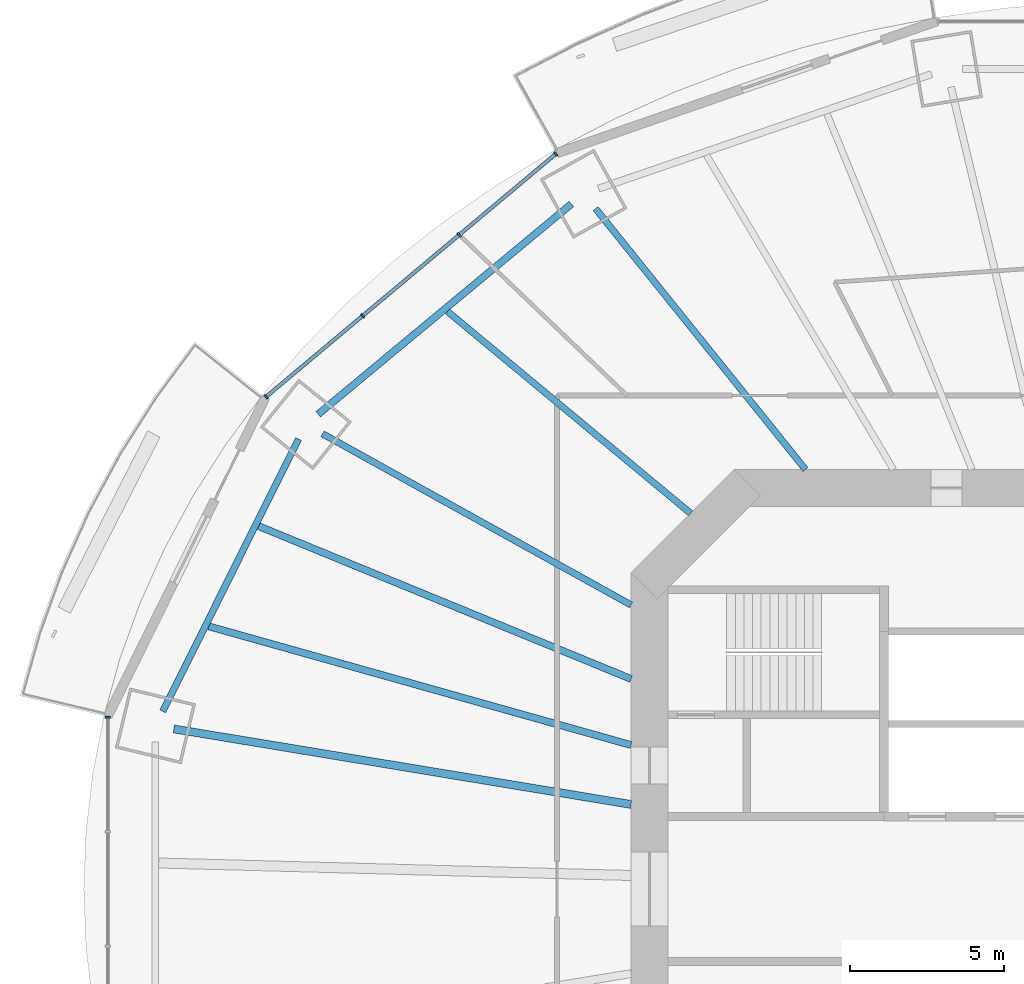
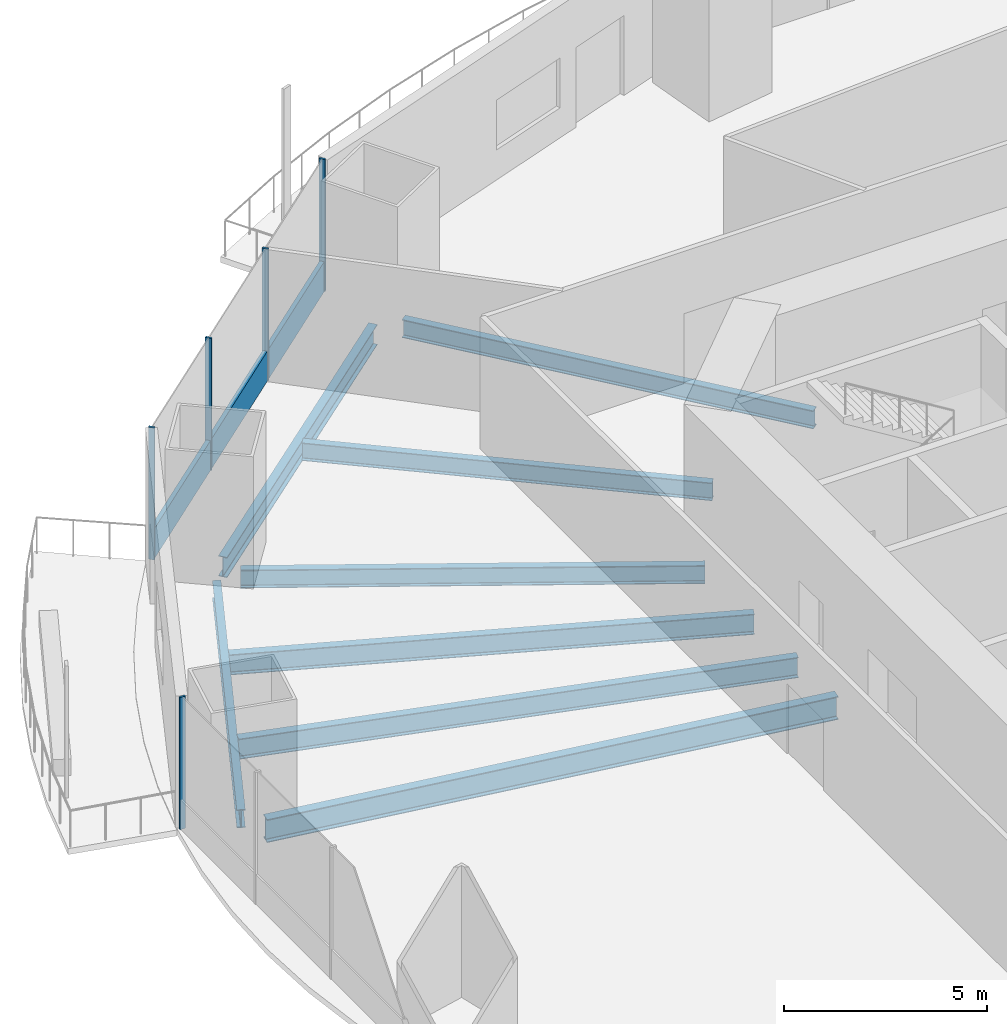
# One storey, part 6 of 22: 8 beams, 6 members, 2 elements without a shape of their own.
"""IFC4 building model written with IfcOpenShell, lengths in metres."""

from ifc_helpers import new_model, si_unit, direction, frame, origin, origin_2d, place, context, subcontext, project, spatial, rectangle, i_section, extrude, material, material_profile, profile_set, type_object, element, aggregate, save


model = new_model("IFC4")

# Units and contexts
model_context = context("Model", 3, precision=1e-05, world=origin(), true_north=direction((0.0, 1.0)))
body_context = subcontext(model_context, "Body", "Model", "MODEL_VIEW")
ifc_project = project(units=[si_unit("LENGTHUNIT", "METRE"), si_unit("AREAUNIT", "SQUARE_METRE"), si_unit("VOLUMEUNIT", "CUBIC_METRE"), si_unit("PLANEANGLEUNIT", "RADIAN"), si_unit("MASSUNIT", "GRAM", prefix="KILO")], contexts=[model_context])

# Site, building, storey
site_placement = place(None, origin())
site = spatial("IfcSite", under=ifc_project, at=site_placement, CompositionType="ELEMENT")
building_placement = place(site_placement, origin())
building = spatial("IfcBuilding", under=site, at=building_placement, Name="Marenthal Gate Tower", CompositionType="ELEMENT")
storey_placement = place(building_placement, frame((0.0, 0.0, 111.85009765625)))
storey = spatial("IfcBuildingStorey", under=building, at=storey_placement, Name="L23", CompositionType="ELEMENT", Elevation=111.85009765625)

# Curtain wall, members
ifc_material_1 = material(Name="Aluminium and glass", Category="aluminium")
curtain_wall_type = type_object("IfcCurtainWallType", Name="Curtain wall typical low", PredefinedType="NOTDEFINED", material=ifc_material_1)
curtain_wall_1_placement = place(storey_placement, origin())
curtain_wall_1 = element("IfcCurtainWall", 1, at=curtain_wall_1_placement, inside=storey, type_object=curtain_wall_type, Name="Curtain wall L23 bay 6", PredefinedType="NOTDEFINED")
ifc_material_2 = material(Name="Aluminium", Category="aluminium")
ifc_material_profile_1 = material_profile(ifc_material_2, rectangle(XDim=0.159912109375, YDim=0.06005859375, at=origin_2d()), Name="60x160 aluminium mullion")
ifc_profile_set_1 = profile_set([ifc_material_profile_1], Name="Aluminium")
member_type_1 = type_object("IfcMemberType", Name="Mullion 60x160 typical low", PredefinedType="MULLION", material=ifc_profile_set_1)
member_1_placement = place(storey_placement, frame((-19.037841796875, 23.833984375, 0.0), z_axis=(0.0, 0.0, 1.0), x_axis=(0.642377082487, -0.766388728972, 0.0)))
member_1 = element("IfcMember", 2, at=member_1_placement, type_object=member_type_1, Name="Mullion L23 bay 6.1", PredefinedType="MULLION", context=body_context, shape_type="SweptSolid", body=[
    extrude(rectangle(XDim=0.159912109375, YDim=0.06005859375, at=origin_2d()), origin(), (0.0, 0.0, 1.0), 3.969970703125),
])
member_2_placement = place(storey_placement, frame((-22.170166015625, 21.20849609375, 0.0), z_axis=(0.0, 0.0, 1.0), x_axis=(0.642377082487, -0.766388728972, 0.0)))
member_2 = element("IfcMember", 3, at=member_2_placement, type_object=member_type_1, Name="Mullion L23 bay 6.2", PredefinedType="MULLION", context=body_context, shape_type="SweptSolid", body=[
    extrude(rectangle(XDim=0.159912109375, YDim=0.06005859375, at=origin_2d()), origin(), (0.0, 0.0, 1.0), 3.969970703125),
])
member_3_placement = place(storey_placement, frame((-25.302490234375, 18.5830078125, 0.0), z_axis=(0.0, 0.0, 1.0), x_axis=(0.642377082487, -0.766388728972, 0.0)))
member_3 = element("IfcMember", 4, at=member_3_placement, type_object=member_type_1, Name="Mullion L23 bay 6.3", PredefinedType="MULLION", context=body_context, shape_type="SweptSolid", body=[
    extrude(rectangle(XDim=0.159912109375, YDim=0.06005859375, at=origin_2d()), origin(), (0.0, 0.0, 1.0), 3.969970703125),
])
member_4_placement = place(storey_placement, frame((-28.434814453125, 15.95751953125, 0.0), z_axis=(0.0, 0.0, 1.0), x_axis=(0.642377082487, -0.766388728972, 0.0)))
member_4 = element("IfcMember", 5, at=member_4_placement, type_object=member_type_1, Name="Mullion L23 bay 6.4", PredefinedType="MULLION", context=body_context, shape_type="SweptSolid", body=[
    extrude(rectangle(XDim=0.159912109375, YDim=0.06005859375, at=origin_2d()), origin(), (0.0, 0.0, 1.0), 3.969970703125),
])

# Curtain wall, member
curtain_wall_2_placement = place(storey_placement, origin())
curtain_wall_2 = element("IfcCurtainWall", 6, at=curtain_wall_2_placement, inside=storey, type_object=curtain_wall_type, Name="Curtain wall L23 bay 8", PredefinedType="NOTDEFINED")
member_5_placement = place(storey_placement, frame((-33.568359375, 5.56689453125, 0.0), z_axis=(0.0, 0.0, 1.0), x_axis=(1.0, 0.0, 0.0)))
member_5 = element("IfcMember", 7, at=member_5_placement, type_object=member_type_1, Name="Mullion L23 bay 8.1", PredefinedType="MULLION", context=body_context, shape_type="SweptSolid", body=[
    extrude(rectangle(XDim=0.159912109375, YDim=0.06005859375, at=origin_2d()), origin(), (0.0, 0.0, 1.0), 3.969970703125),
])
aggregate(curtain_wall_2, [member_5])

# Member
ifc_material_3 = material(Name="Aluminium", Category="aluminium")
ifc_material_profile_2 = material_profile(ifc_material_3, rectangle(XDim=0.1201171875, YDim=0.89990234375, at=origin_2d()), Name="120x900 aluminium transom")
ifc_profile_set_2 = profile_set([ifc_material_profile_2], Name="Aluminium")
member_type_2 = type_object("IfcMemberType", Name="Transom 120x900 typical low", PredefinedType="USERDEFINED", material=ifc_profile_set_2)
member_6_placement = place(storey_placement, frame((-19.060791015625, 23.814697265625, 0.449951171875), z_axis=(-0.766391084467, -0.64237427225, 0.0), x_axis=(0.64237427225, -0.766391084467, 0.0)))
member_6 = element("IfcMember", 8, at=member_6_placement, type_object=member_type_2, Name="Transom L23 bay 6", ObjectType="TRANSOM", PredefinedType="USERDEFINED", context=body_context, shape_type="SweptSolid", body=[
    extrude(rectangle(XDim=0.1201171875, YDim=0.89990234375, at=origin_2d()), origin(), (0.0, 0.0, 1.0), 12.201416015625),
])

aggregate(curtain_wall_1, [member_1, member_2, member_3, member_4, member_6])

# Beams
ifc_material_4 = material(Name="Steel S355", Category="steel")
ifc_material_profile_3 = material_profile(ifc_material_4, i_section(OverallWidth=0.2099609375, OverallDepth=0.535888671875, WebThickness=0.010986328125, FlangeThickness=0.017333984375, FilletRadius=0.0126953125, at=origin_2d()), Name="W530X101")
ifc_profile_set_3 = profile_set([ifc_material_profile_3], Name="Steel S355")
beam_type_1 = type_object("IfcBeamType", Name="W530X101 beam", PredefinedType="BEAM", material=ifc_profile_set_3)
beam_1_placement = place(storey_placement, frame((-22.551025390625, 18.7255859375, -0.447998046875), z_axis=(0.769343150929, -0.638835750501, 0.0), x_axis=(0.638835750501, 0.769343150929, 0.0)))
element("IfcBeam", 9, at=beam_1_placement, inside=storey, type_object=beam_type_1, Name="BM-L23-25", PredefinedType="BEAM", context=body_context, shape_type="SweptSolid", body=[
    extrude(i_section(OverallWidth=0.2099609375, OverallDepth=0.535888671875, WebThickness=0.010986328125, FlangeThickness=0.017333984375, FilletRadius=0.0126953125, at=origin_2d()), origin(), (0.0, 0.0, 1.0), 10.245849609375),
])
ifc_material_5 = material(Name="Steel S355", Category="steel")
ifc_material_profile_4 = material_profile(ifc_material_5, i_section(OverallWidth=0.2119140625, OverallDepth=0.5439453125, WebThickness=0.01318359375, FlangeThickness=0.021240234375, FilletRadius=0.0126953125, at=origin_2d()), Name="W530X123")
ifc_profile_set_4 = profile_set([ifc_material_profile_4], Name="Steel S355")
beam_type_2 = type_object("IfcBeamType", Name="W530X123 beam", PredefinedType="BEAM", material=ifc_profile_set_4)
beam_2_placement = place(storey_placement, frame((-17.750732421875, 22.059326171875, -0.4521484375), z_axis=(0.626924535124, -0.779079987716, 0.0), x_axis=(0.779079987716, 0.626924535124, 0.0)))
element("IfcBeam", 10, at=beam_2_placement, inside=storey, type_object=beam_type_2, Name="BM-L23-06", PredefinedType="BEAM", context=body_context, shape_type="SweptSolid", body=[
    extrude(i_section(OverallWidth=0.2119140625, OverallDepth=0.5439453125, WebThickness=0.01318359375, FlangeThickness=0.021240234375, FilletRadius=0.0126953125, at=origin_2d()), origin(), (0.0, 0.0, 1.0), 10.85791015625),
])
beam_3_placement = place(storey_placement, frame((-26.605224609375, 14.761474609375, -0.4521484375), z_axis=(0.87442184895, -0.485166394218, 0.0), x_axis=(0.485166394218, 0.87442184895, 0.0)))
element("IfcBeam", 11, at=beam_3_placement, inside=storey, type_object=beam_type_2, Name="BM-L23-07", PredefinedType="BEAM", context=body_context, shape_type="SweptSolid", body=[
    extrude(i_section(OverallWidth=0.2119140625, OverallDepth=0.5439453125, WebThickness=0.01318359375, FlangeThickness=0.021240234375, FilletRadius=0.0126953125, at=origin_2d()), origin(), (0.0, 0.0, 1.0), 11.44189453125),
])
beam_4_placement = place(storey_placement, frame((-27.3779296875, 14.591796875, -0.4521484375), z_axis=(-0.446372399163, -0.894847294942, 0.0), x_axis=(0.894847294942, -0.446372399163, 0.0)))
element("IfcBeam", 12, at=beam_4_placement, inside=storey, type_object=beam_type_2, Name="BM-L23-47", PredefinedType="BEAM", context=body_context, shape_type="SweptSolid", body=[
    extrude(i_section(OverallWidth=0.2119140625, OverallDepth=0.5439453125, WebThickness=0.01318359375, FlangeThickness=0.021240234375, FilletRadius=0.0126953125, at=origin_2d()), origin(), (0.0, 0.0, 1.0), 9.8701171875),
])
ifc_material_6 = material(Name="Steel S355", Category="steel")
ifc_material_profile_5 = material_profile(ifc_material_6, i_section(OverallWidth=0.22900390625, OverallDepth=0.612060546875, WebThickness=0.011962890625, FlangeThickness=0.01953125, FilletRadius=0.0126953125, at=origin_2d()), Name="W610X125")
ifc_profile_set_5 = profile_set([ifc_material_profile_5], Name="Steel S355")
beam_type_3 = type_object("IfcBeamType", Name="W610X125 beam", PredefinedType="BEAM", material=ifc_profile_set_5)
beam_5_placement = place(storey_placement, frame((-28.670654296875, 11.7626953125, -0.486083984375), z_axis=(0.925165248612, -0.379564569949, 0.0), x_axis=(0.379564569949, 0.925165248612, 0.0)))
element("IfcBeam", 13, at=beam_5_placement, inside=storey, type_object=beam_type_3, Name="BM-L23-26", PredefinedType="BEAM", context=body_context, shape_type="SweptSolid", body=[
    extrude(i_section(OverallWidth=0.22900390625, OverallDepth=0.612060546875, WebThickness=0.011962890625, FlangeThickness=0.01953125, FilletRadius=0.0126953125, at=origin_2d()), origin(), (0.0, 0.0, 1.0), 13.046875),
])
beam_6_placement = place(storey_placement, frame((-30.2900390625, 8.5166015625, -0.486083984375), z_axis=(0.962672470775, -0.270669011917, 0.0), x_axis=(0.270669011917, 0.962672470775, 0.0)))
element("IfcBeam", 14, at=beam_6_placement, inside=storey, type_object=beam_type_3, Name="BM-L23-27", PredefinedType="BEAM", context=body_context, shape_type="SweptSolid", body=[
    extrude(i_section(OverallWidth=0.22900390625, OverallDepth=0.612060546875, WebThickness=0.011962890625, FlangeThickness=0.01953125, FilletRadius=0.0126953125, at=origin_2d()), origin(), (0.0, 0.0, 1.0), 14.220703125),
])
beam_7_placement = place(storey_placement, frame((-18.535400390625, 22.208740234375, -0.486083984375), z_axis=(-0.769349195684, -0.638828470796, 0.0), x_axis=(0.638828470796, -0.769349195684, 0.0)))
element("IfcBeam", 15, at=beam_7_placement, inside=storey, type_object=beam_type_3, Name="BM-L23-46", PredefinedType="BEAM", context=body_context, shape_type="SweptSolid", body=[
    extrude(i_section(OverallWidth=0.22900390625, OverallDepth=0.612060546875, WebThickness=0.011962890625, FlangeThickness=0.01953125, FilletRadius=0.0126953125, at=origin_2d()), origin(), (0.0, 0.0, 1.0), 10.66943359375),
])
ifc_material_7 = material(Name="Steel S355", Category="steel")
ifc_material_profile_6 = material_profile(ifc_material_7, i_section(OverallWidth=0.257080078125, OverallDepth=0.693115234375, WebThickness=0.014404296875, FlangeThickness=0.023681640625, FilletRadius=0.015380859375, at=origin_2d()), Name="W690X170")
ifc_profile_set_6 = profile_set([ifc_material_profile_6], Name="Steel S355")
beam_type_4 = type_object("IfcBeamType", Name="W690X170 beam", PredefinedType="BEAM", material=ifc_profile_set_6)
beam_8_placement = place(storey_placement, frame((-31.423828125, 5.190185546875, -0.526611328125), z_axis=(0.986631792526, -0.162965352074, 0.0), x_axis=(0.162965352074, 0.986631792526, 0.0)))
element("IfcBeam", 16, at=beam_8_placement, inside=storey, type_object=beam_type_4, Name="BM-L23-08", PredefinedType="BEAM", context=body_context, shape_type="SweptSolid", body=[
    extrude(i_section(OverallWidth=0.257080078125, OverallDepth=0.693115234375, WebThickness=0.014404296875, FlangeThickness=0.023681640625, FilletRadius=0.015380859375, at=origin_2d()), origin(), (0.0, 0.0, 1.0), 15.024658203125),
])

save(model, "model.ifc")
